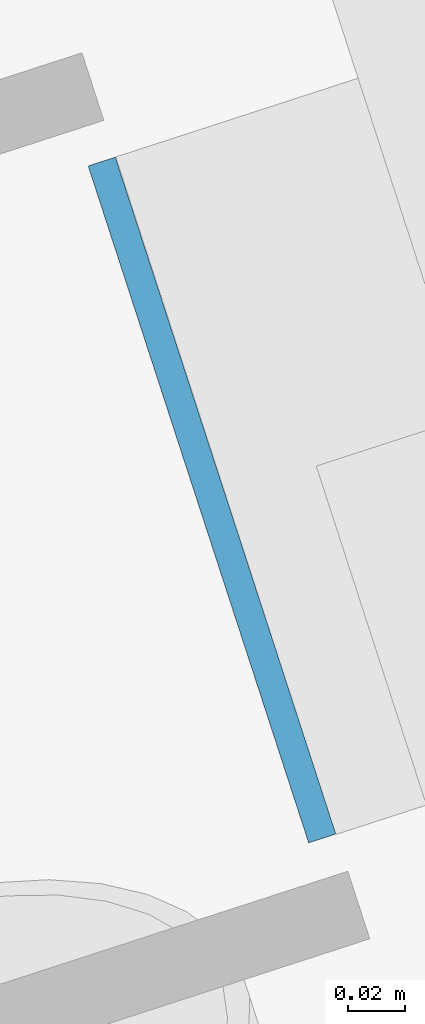
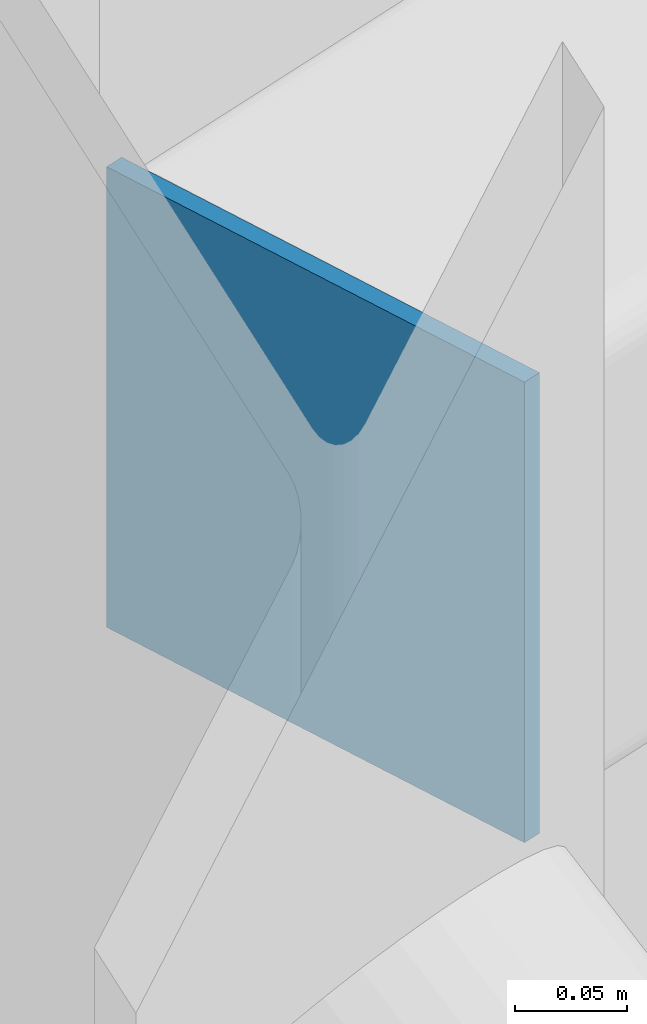
# One storey, part 41 of 49: 1 plate.
"""IFC4 building model written with IfcOpenShell, lengths in metres."""

from ifc_helpers import new_model, si_unit, direction, frame, origin, place, context, subcontext, project, spatial, polyline, outline, extrude, material, layer, layer_set, type_object, element, save


model = new_model("IFC4")

# Units and contexts
model_context = context("Model", 3, precision=1e-05, world=origin(), true_north=direction((0.0, 1.0)))
body_context = subcontext(model_context, "Body", "Model", "MODEL_VIEW")
ifc_project = project(units=[si_unit("LENGTHUNIT", "METRE"), si_unit("AREAUNIT", "SQUARE_METRE"), si_unit("VOLUMEUNIT", "CUBIC_METRE"), si_unit("PLANEANGLEUNIT", "RADIAN"), si_unit("MASSUNIT", "GRAM", prefix="KILO")], contexts=[model_context])

# Site, building, storey
site_placement = place(None, origin())
site = spatial("IfcSite", under=ifc_project, at=site_placement, CompositionType="ELEMENT")
building_placement = place(site_placement, origin())
building = spatial("IfcBuilding", under=site, at=building_placement, Name="Tuart Plaza Theatre", CompositionType="ELEMENT")
storey_placement = place(building_placement, frame((0.0, 0.0, 29.5)))
storey = spatial("IfcBuildingStorey", under=building, at=storey_placement, Name="L07", CompositionType="ELEMENT", Elevation=29.5)

# Plate
ifc_material = material(Name="Steel Grade C350L0", Category="steel")
ifc_layer = layer(ifc_material, 0.010009765625)
ifc_layer_set = layer_set([ifc_layer], Name="PLATE End cap 10 Steel Grade C350L0")
plate_type = type_object("IfcPlateType", Name="PLATE End cap 10 Steel Grade C350L0", PredefinedType="SHEET", material=ifc_layer_set)
plate_placement = place(storey_placement, frame((35.34423828125, 87.576904296875, 3.86083984375), z_axis=(-0.950811204883, -0.309770968086, 0.0), x_axis=(-0.309770968086, 0.950811204883, 0.0)))
element("IfcPlate", 1, at=plate_placement, inside=storey, type_object=plate_type, Name="EP29", PredefinedType="SHEET", context=body_context, shape_type="SweptSolid", body=[
    extrude(outline(polyline([(0.0, 0.0), (0.24983806133652858, 0.0), (0.24983806133652858, 0.25000000000000006), (0.0, 0.25000000000000006), (0.0, 0.0)])), origin(), (0.0, 0.0, -1.0), 0.010009765625),
])

save(model, "model.ifc")
